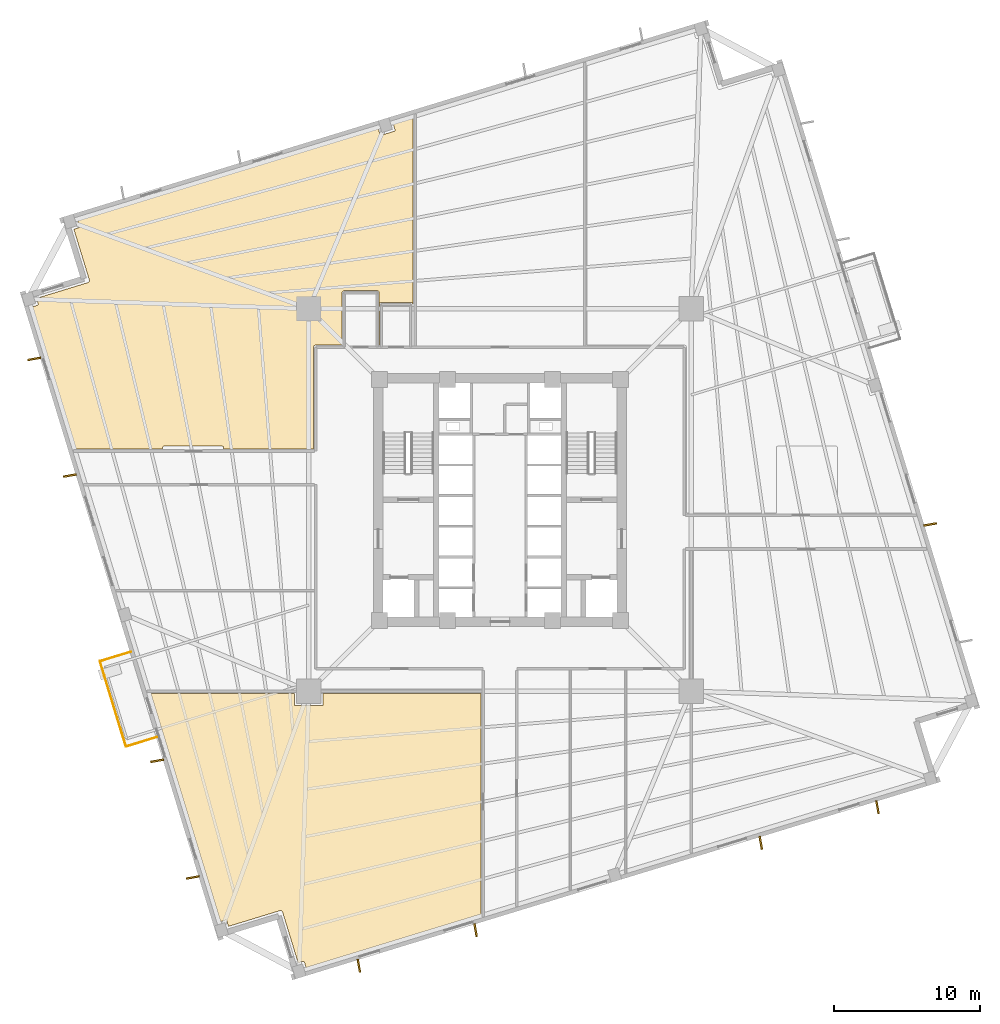
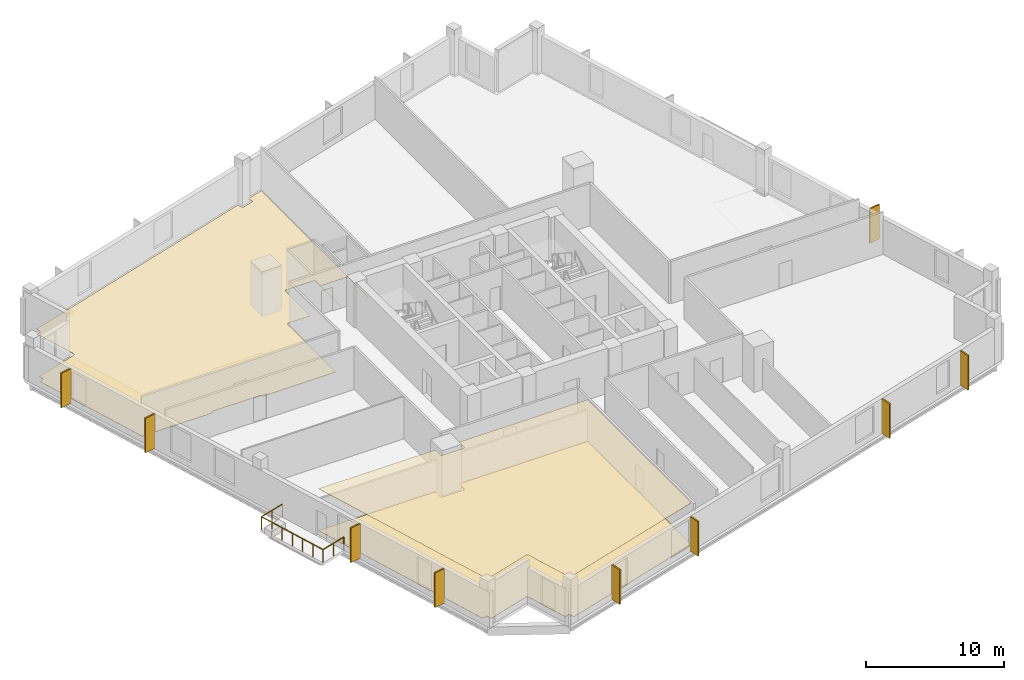
# One storey, part 7 of 9: 12 coverings, 3 railings.
"""IFC4 building model written with IfcOpenShell, lengths in metres."""

from ifc_helpers import new_model, si_unit, direction, frame, origin, origin_2d, place, context, subcontext, project, spatial, polyline, rectangle, circle, outline, extrude, source, transform, mapped, material, layer, layer_set, type_object, element, save


model = new_model("IFC4")

# Units and contexts
model_context = context("Model", 3, precision=1e-05, world=origin(), true_north=direction((0.0, 1.0)))
body_context = subcontext(model_context, "Body", "Model", "MODEL_VIEW")
ifc_project = project(units=[si_unit("LENGTHUNIT", "METRE"), si_unit("AREAUNIT", "SQUARE_METRE"), si_unit("VOLUMEUNIT", "CUBIC_METRE"), si_unit("PLANEANGLEUNIT", "RADIAN"), si_unit("MASSUNIT", "GRAM", prefix="KILO"), si_unit("THERMODYNAMICTEMPERATUREUNIT", "KELVIN")], contexts=[model_context])

# Site, building, storey
site_placement = place(None, origin())
site = spatial("IfcSite", under=ifc_project, at=site_placement, CompositionType="ELEMENT")
building_placement = place(site_placement, origin())
building = spatial("IfcBuilding", under=site, at=building_placement, Name="Kosmvard Interchange Tower", CompositionType="ELEMENT")
storey_placement = place(building_placement, frame((0.0, 0.0, 107.199951171875)))
storey = spatial("IfcBuildingStorey", under=building, at=storey_placement, Name="L25", CompositionType="ELEMENT", Elevation=107.199951171875)

# Coverings
ifc_material_1 = material(Name="Acoustic gypsum ceiling tile")
ifc_layer_1 = layer(ifc_material_1, 0.02490234375, Name="Acoustic gypsum ceiling tile")
ifc_layer_set_1 = layer_set([ifc_layer_1], Name="Acoustic gypsum ceiling tile")
covering_type_1 = type_object("IfcCoveringType", Name="Acoustic Perforated Suspended Ceiling 25", PredefinedType="CEILING", material=ifc_layer_set_1)
covering_1_placement = place(storey_placement, frame((0.0, 0.0, 3.715087890625)))
element("IfcCovering", 1, at=covering_1_placement, inside=storey, type_object=covering_type_1, Name="L25 Acoustic Ceiling L25-OFF3", PredefinedType="CEILING", context=body_context, shape_type="SweptSolid", body=[
    extrude(outline(polyline([(-13.8115234375, -31.66162109375), (-13.481689453125, -31.560791015625), (-13.47412109375, -31.558837890625), (-13.46630859375, -31.5576171875), (-13.45849609375, -31.55712890625), (-13.45068359375, -31.5576171875), (-13.44287109375, -31.55859375), (-13.43505859375, -31.560546875), (-13.427734375, -31.563232421875), (-13.420654296875, -31.566650390625), (-13.413818359375, -31.570556640625), (-13.40771484375, -31.5751953125), (-13.40185546875, -31.58056640625), (-13.396484375, -31.58642578125), (-13.391845703125, -31.592529296875), (-13.3876953125, -31.599365234375), (-13.38427734375, -31.6064453125), (-13.3818359375, -31.61376953125), (-13.266357421875, -31.991455078125), (-1.304931640625, -28.334716796875), (-1.304931640625, -13.240966796875), (-12.095947265625, -13.240966796875), (-12.095947265625, -13.986083984375), (-12.096435546875, -13.993896484375), (-12.09765625, -14.001708984375), (-12.099365234375, -14.00927734375), (-12.10205078125, -14.0166015625), (-12.10546875, -14.023681640625), (-12.109375, -14.030517578125), (-12.1142578125, -14.036865234375), (-12.119384765625, -14.04248046875), (-12.125244140625, -14.0478515625), (-12.131591796875, -14.052490234375), (-12.13818359375, -14.056640625), (-12.1455078125, -14.059814453125), (-12.15283203125, -14.0625), (-12.160400390625, -14.064453125), (-12.168212890625, -14.065673828125), (-12.176025390625, -14.06591796875), (-13.986083984375, -14.06591796875), (-13.993896484375, -14.065673828125), (-14.001708984375, -14.064453125), (-14.00927734375, -14.0625), (-14.0166015625, -14.059814453125), (-14.023681640625, -14.056640625), (-14.030517578125, -14.052490234375), (-14.036865234375, -14.0478515625), (-14.04248046875, -14.04248046875), (-14.0478515625, -14.036865234375), (-14.052490234375, -14.030517578125), (-14.056640625, -14.023681640625), (-14.059814453125, -14.0166015625), (-14.0625, -14.00927734375), (-14.064453125, -14.001708984375), (-14.065673828125, -13.993896484375), (-14.06591796875, -13.986083984375), (-14.06591796875, -13.240966796875), (-23.887451171875, -13.240966796875), (-19.118408203125, -28.83984375), (-18.78857421875, -28.739013671875), (-18.781005859375, -28.737060546875), (-18.773193359375, -28.73583984375), (-18.765380859375, -28.735595703125), (-18.757568359375, -28.73583984375), (-18.749755859375, -28.737060546875), (-18.741943359375, -28.73876953125), (-18.734619140625, -28.741455078125), (-18.7275390625, -28.744873046875), (-18.720703125, -28.748779296875), (-18.714599609375, -28.75341796875), (-18.708740234375, -28.7587890625), (-18.703369140625, -28.7646484375), (-18.69873046875, -28.77099609375), (-18.694580078125, -28.777587890625), (-18.691162109375, -28.78466796875), (-18.688720703125, -28.7919921875), (-18.572998046875, -29.169921875), (-15.0634765625, -28.096923828125), (-15.0595703125, -28.095703125), (-15.052490234375, -28.093994140625), (-15.044921875, -28.092529296875), (-15.03759765625, -28.09130859375), (-15.02978515625, -28.090576171875), (-15.0224609375, -28.090087890625), (-15.014404296875, -28.090087890625), (-15.007080078125, -28.090576171875), (-14.99951171875, -28.09130859375), (-14.9921875, -28.09228515625), (-14.984375, -28.09375), (-14.977294921875, -28.095703125), (-14.9697265625, -28.097900390625), (-14.962646484375, -28.100341796875), (-14.95556640625, -28.103271484375), (-14.948974609375, -28.1064453125), (-14.942138671875, -28.110107421875), (-14.935791015625, -28.11376953125), (-14.92919921875, -28.1181640625), (-14.923095703125, -28.12255859375), (-14.9169921875, -28.127685546875), (-14.91162109375, -28.132568359375), (-14.906005859375, -28.137939453125), (-14.901123046875, -28.1435546875), (-14.89599609375, -28.149658203125), (-14.8916015625, -28.155517578125), (-14.887451171875, -28.161865234375), (-14.883544921875, -28.168212890625), (-14.8798828125, -28.17529296875), (-14.876708984375, -28.181884765625), (-14.873779296875, -28.18896484375), (-14.87109375, -28.196044921875), (-14.869873046875, -28.19970703125), (-13.8115234375, -31.66162109375)])), origin(), (0.0, 0.0, 1.0), 0.02490234375),
])
ifc_material_2 = material(Name="Polished terrazzo flooring")
ifc_layer_2 = layer(ifc_material_2, 0.030029296875, Name="Polished terrazzo flooring")
ifc_layer_set_2 = layer_set([ifc_layer_2], Name="Polished terrazzo flooring")
covering_type_2 = type_object("IfcCoveringType", Name="Heavy-Duty Terrazzo & Porcelain Flooring 30", PredefinedType="FLOORING", material=ifc_layer_set_2)
covering_2_placement = place(storey_placement, origin())
element("IfcCovering", 2, at=covering_2_placement, inside=storey, type_object=covering_type_2, Name="L25 Floor Finish L25-LNG1", PredefinedType="FLOORING", context=body_context, shape_type="SweptSolid", body=[
    extrude(outline(polyline([(-8.284912109375, 14.248779296875), (-8.281494140625, 14.2431640625), (-8.27783203125, 14.236328125), (-8.27490234375, 14.230224609375), (-8.27197265625, 14.222900390625), (-8.269775390625, 14.216796875), (-8.267578125, 14.209228515625), (-8.265869140625, 14.20263671875), (-8.264404296875, 14.195068359375), (-8.263427734375, 14.1884765625), (-8.2626953125, 14.1806640625), (-8.26220703125, 14.173828125), (-8.26220703125, 14.169921875), (-8.26220703125, 10.60498046875), (-8.259033203125, 10.60498046875), (-8.259033203125, 13.3701171875), (-8.259033203125, 13.3740234375), (-8.258544921875, 13.380615234375), (-8.2578125, 13.388427734375), (-8.2568359375, 13.39501953125), (-8.25537109375, 13.402587890625), (-8.253662109375, 13.4091796875), (-8.25146484375, 13.416748046875), (-8.249267578125, 13.423095703125), (-8.246337890625, 13.43017578125), (-8.243408203125, 13.436279296875), (-8.23974609375, 13.443115234375), (-8.236328125, 13.448974609375), (-8.23193359375, 13.45556640625), (-8.227783203125, 13.4609375), (-8.222900390625, 13.466796875), (-8.218505859375, 13.471923828125), (-8.212890625, 13.477294921875), (-8.2080078125, 13.48193359375), (-8.201904296875, 13.48681640625), (-8.196533203125, 13.49072265625), (-8.18994140625, 13.4951171875), (-8.184326171875, 13.49853515625), (-8.17724609375, 13.502197265625), (-8.17138671875, 13.505126953125), (-8.1640625, 13.508056640625), (-8.15771484375, 13.510498046875), (-8.150146484375, 13.5126953125), (-8.143798828125, 13.514404296875), (-8.135986328125, 13.515869140625), (-8.12939453125, 13.516845703125), (-8.12158203125, 13.517578125), (-8.114990234375, 13.517822265625), (-8.111083984375, 13.51806640625), (-6.111083984375, 13.51806640625), (-6.107177734375, 13.517822265625), (-6.100341796875, 13.517578125), (-6.0927734375, 13.516845703125), (-6.086181640625, 13.515869140625), (-6.078369140625, 13.514404296875), (-6.072021484375, 13.5126953125), (-6.064453125, 13.510498046875), (-6.05810546875, 13.508056640625), (-6.05078125, 13.505126953125), (-6.044921875, 13.502197265625), (-6.037841796875, 13.49853515625), (-6.0322265625, 13.4951171875), (-6.025634765625, 13.49072265625), (-6.020263671875, 13.48681640625), (-6.01416015625, 13.48193359375), (-6.00927734375, 13.477294921875), (-6.003662109375, 13.471923828125), (-5.999267578125, 13.466796875), (-5.994140625, 13.460693359375), (-5.990234375, 13.455322265625), (-5.98583984375, 13.448974609375), (-5.982421875, 13.443115234375), (-5.978759765625, 13.436279296875), (-5.97607421875, 13.430419921875), (-5.972900390625, 13.423095703125), (-5.970703125, 13.416748046875), (-5.968505859375, 13.4091796875), (-5.966796875, 13.402587890625), (-5.96533203125, 13.39501953125), (-5.96435546875, 13.388427734375), (-5.96337890625, 13.380615234375), (-5.963134765625, 13.373779296875), (-5.963134765625, 13.3701171875), (-5.963134765625, 10.60498046875), (-5.9599609375, 10.60498046875), (-5.9599609375, 26.113525390625), (-7.299072265625, 25.7041015625), (-7.18359375, 25.326416015625), (-7.181640625, 25.31884765625), (-7.180419921875, 25.31103515625), (-7.18017578125, 25.30322265625), (-7.180419921875, 25.29541015625), (-7.181640625, 25.28759765625), (-7.18359375, 25.280029296875), (-7.18603515625, 25.2724609375), (-7.189453125, 25.265380859375), (-7.193603515625, 25.2587890625), (-7.1982421875, 25.25244140625), (-7.203369140625, 25.24658203125), (-7.209228515625, 25.2412109375), (-7.215576171875, 25.236572265625), (-7.22216796875, 25.232421875), (-7.229248046875, 25.229248046875), (-7.23681640625, 25.2265625), (-8.10693359375, 24.96044921875), (-8.114501953125, 24.95849609375), (-8.122314453125, 24.957275390625), (-8.130126953125, 24.95703125), (-8.137939453125, 24.957275390625), (-8.145751953125, 24.95849609375), (-8.1533203125, 24.960205078125), (-8.160888671875, 24.962890625), (-8.16796875, 24.96630859375), (-8.174560546875, 24.97021484375), (-8.180908203125, 24.974853515625), (-8.186767578125, 24.980224609375), (-8.192138671875, 24.986083984375), (-8.19677734375, 24.992431640625), (-8.200927734375, 24.9990234375), (-8.2041015625, 25.006103515625), (-8.206787109375, 25.013427734375), (-8.322265625, 25.391357421875), (-28.8876953125, 19.103759765625), (-28.772216796875, 18.72607421875), (-28.770263671875, 18.718505859375), (-28.76904296875, 18.710693359375), (-28.768798828125, 18.702880859375), (-28.76904296875, 18.695068359375), (-28.770263671875, 18.687255859375), (-28.77197265625, 18.6796875), (-28.774658203125, 18.672119140625), (-28.778076171875, 18.6650390625), (-28.781982421875, 18.658447265625), (-28.78662109375, 18.652099609375), (-28.7919921875, 18.646240234375), (-28.7978515625, 18.640869140625), (-28.80419921875, 18.63623046875), (-28.810791015625, 18.63232421875), (-28.81787109375, 18.62890625), (-28.8251953125, 18.626220703125), (-29.1552734375, 18.525390625), (-28.096923828125, 15.0634765625), (-28.095703125, 15.0595703125), (-28.093994140625, 15.052490234375), (-28.092529296875, 15.044921875), (-28.09130859375, 15.03759765625), (-28.090576171875, 15.02978515625), (-28.090087890625, 15.0224609375), (-28.090087890625, 15.014404296875), (-28.090576171875, 15.007080078125), (-28.09130859375, 14.99951171875), (-28.09228515625, 14.9921875), (-28.09375, 14.984375), (-28.095703125, 14.977294921875), (-28.097900390625, 14.9697265625), (-28.100341796875, 14.962646484375), (-28.103271484375, 14.95556640625), (-28.1064453125, 14.948974609375), (-28.110107421875, 14.942138671875), (-28.11376953125, 14.935791015625), (-28.1181640625, 14.92919921875), (-28.12255859375, 14.923095703125), (-28.127685546875, 14.9169921875), (-28.132568359375, 14.91162109375), (-28.137939453125, 14.906005859375), (-28.1435546875, 14.901123046875), (-28.149658203125, 14.89599609375), (-28.155517578125, 14.8916015625), (-28.161865234375, 14.887451171875), (-28.168212890625, 14.883544921875), (-28.17529296875, 14.8798828125), (-28.181884765625, 14.876708984375), (-28.18896484375, 14.873779296875), (-28.196044921875, 14.87109375), (-28.19970703125, 14.869873046875), (-31.70947265625, 13.796875), (-31.593994140625, 13.419189453125), (-31.592041015625, 13.41162109375), (-31.5908203125, 13.40380859375), (-31.59033203125, 13.39599609375), (-31.5908203125, 13.38818359375), (-31.591796875, 13.38037109375), (-31.59375, 13.372802734375), (-31.596435546875, 13.365234375), (-31.599853515625, 13.358154296875), (-31.603759765625, 13.3515625), (-31.6083984375, 13.34521484375), (-31.61376953125, 13.33935546875), (-31.61962890625, 13.333984375), (-31.625732421875, 13.329345703125), (-31.632568359375, 13.325439453125), (-31.6396484375, 13.322021484375), (-31.64697265625, 13.3193359375), (-31.97705078125, 13.218505859375), (-29.00732421875, 3.5048828125), (-23.080078125, 3.5048828125), (-23.080078125, 3.60009765625), (-23.07958984375, 3.60791015625), (-23.078369140625, 3.61572265625), (-23.07666015625, 3.623291015625), (-23.073974609375, 3.630615234375), (-23.070556640625, 3.6376953125), (-23.06640625, 3.64453125), (-23.061767578125, 3.650634765625), (-23.056640625, 3.656494140625), (-23.05078125, 3.661865234375), (-23.04443359375, 3.66650390625), (-23.03759765625, 3.670654296875), (-23.030517578125, 3.673828125), (-23.023193359375, 3.676513671875), (-23.015625, 3.678466796875), (-23.0078125, 3.6796875), (-23.0, 3.679931640625), (-19.0, 3.679931640625), (-18.9921875, 3.6796875), (-18.984375, 3.678466796875), (-18.976806640625, 3.676513671875), (-18.969482421875, 3.673828125), (-18.96240234375, 3.670654296875), (-18.95556640625, 3.66650390625), (-18.94921875, 3.661865234375), (-18.943359375, 3.656494140625), (-18.938232421875, 3.650634765625), (-18.93359375, 3.64453125), (-18.929443359375, 3.6376953125), (-18.926025390625, 3.630615234375), (-18.92333984375, 3.623291015625), (-18.921630859375, 3.61572265625), (-18.92041015625, 3.60791015625), (-18.919921875, 3.60009765625), (-18.919921875, 3.5048828125), (-12.7548828125, 3.5048828125), (-12.7548828125, 10.449951171875), (-12.7548828125, 10.453857421875), (-12.754638671875, 10.461181640625), (-12.753662109375, 10.468994140625), (-12.752685546875, 10.476318359375), (-12.751220703125, 10.484130859375), (-12.749267578125, 10.4912109375), (-12.7470703125, 10.498779296875), (-12.74462890625, 10.505615234375), (-12.74169921875, 10.512939453125), (-12.738525390625, 10.51953125), (-12.73486328125, 10.5263671875), (-12.73095703125, 10.53271484375), (-12.7265625, 10.539306640625), (-12.72216796875, 10.545166015625), (-12.71728515625, 10.55126953125), (-12.712158203125, 10.556884765625), (-12.706787109375, 10.562255859375), (-12.701416015625, 10.567138671875), (-12.6953125, 10.572265625), (-12.689208984375, 10.57666015625), (-12.6826171875, 10.5810546875), (-12.676513671875, 10.584716796875), (-12.669677734375, 10.58837890625), (-12.662841796875, 10.591552734375), (-12.65576171875, 10.5947265625), (-12.648681640625, 10.59716796875), (-12.64111328125, 10.599365234375), (-12.634033203125, 10.60107421875), (-12.62646484375, 10.602783203125), (-12.619140625, 10.603759765625), (-12.611328125, 10.6044921875), (-12.60400390625, 10.60498046875), (-12.60009765625, 10.60498046875), (-10.80810546875, 10.60498046875), (-10.80810546875, 14.169921875), (-10.80810546875, 14.173828125), (-10.807861328125, 14.180419921875), (-10.806884765625, 14.1884765625), (-10.805908203125, 14.195068359375), (-10.804443359375, 14.20263671875), (-10.802734375, 14.209228515625), (-10.800537109375, 14.216796875), (-10.79833984375, 14.222900390625), (-10.795166015625, 14.230224609375), (-10.79248046875, 14.236328125), (-10.788818359375, 14.2431640625), (-10.785400390625, 14.248779296875), (-10.781005859375, 14.25537109375), (-10.777099609375, 14.2607421875), (-10.77197265625, 14.266845703125), (-10.767578125, 14.271728515625), (-10.761962890625, 14.27734375), (-10.757080078125, 14.281982421875), (-10.7509765625, 14.286865234375), (-10.74560546875, 14.290771484375), (-10.739013671875, 14.295166015625), (-10.7333984375, 14.298583984375), (-10.726318359375, 14.30224609375), (-10.720458984375, 14.30517578125), (-10.713134765625, 14.30810546875), (-10.706787109375, 14.310302734375), (-10.69921875, 14.312744140625), (-10.69287109375, 14.314208984375), (-10.68505859375, 14.31591796875), (-10.678466796875, 14.31689453125), (-10.670654296875, 14.317626953125), (-10.6640625, 14.31787109375), (-10.66015625, 14.318115234375), (-8.41015625, 14.318115234375), (-8.40625, 14.31787109375), (-8.3994140625, 14.317626953125), (-8.391845703125, 14.31689453125), (-8.38525390625, 14.31591796875), (-8.37744140625, 14.314208984375), (-8.37109375, 14.312744140625), (-8.363525390625, 14.310302734375), (-8.357177734375, 14.30810546875), (-8.349853515625, 14.30517578125), (-8.343994140625, 14.30224609375), (-8.3369140625, 14.298583984375), (-8.331298828125, 14.295166015625), (-8.32470703125, 14.290771484375), (-8.3193359375, 14.286865234375), (-8.313232421875, 14.28173828125), (-8.308349609375, 14.27734375), (-8.302734375, 14.271728515625), (-8.29833984375, 14.266845703125), (-8.29345703125, 14.2607421875), (-8.289306640625, 14.25537109375), (-8.284912109375, 14.248779296875)])), origin(), (0.0, 0.0, 1.0), 0.030029296875),
])
covering_3_placement = place(storey_placement, origin())
element("IfcCovering", 3, at=covering_3_placement, inside=storey, type_object=covering_type_2, Name="L25 Floor Finish L25-OFF3", PredefinedType="FLOORING", context=body_context, shape_type="SweptSolid", body=[
    extrude(outline(polyline([(-13.8115234375, -31.66162109375), (-13.481689453125, -31.560791015625), (-13.47412109375, -31.558837890625), (-13.46630859375, -31.5576171875), (-13.45849609375, -31.55712890625), (-13.45068359375, -31.5576171875), (-13.44287109375, -31.55859375), (-13.43505859375, -31.560546875), (-13.427734375, -31.563232421875), (-13.420654296875, -31.566650390625), (-13.413818359375, -31.570556640625), (-13.40771484375, -31.5751953125), (-13.40185546875, -31.58056640625), (-13.396484375, -31.58642578125), (-13.391845703125, -31.592529296875), (-13.3876953125, -31.599365234375), (-13.38427734375, -31.6064453125), (-13.3818359375, -31.61376953125), (-13.266357421875, -31.991455078125), (-1.304931640625, -28.334716796875), (-1.304931640625, -13.240966796875), (-12.095947265625, -13.240966796875), (-12.095947265625, -13.986083984375), (-12.096435546875, -13.993896484375), (-12.09765625, -14.001708984375), (-12.099365234375, -14.00927734375), (-12.10205078125, -14.0166015625), (-12.10546875, -14.023681640625), (-12.109375, -14.030517578125), (-12.1142578125, -14.036865234375), (-12.119384765625, -14.04248046875), (-12.125244140625, -14.0478515625), (-12.131591796875, -14.052490234375), (-12.13818359375, -14.056640625), (-12.1455078125, -14.059814453125), (-12.15283203125, -14.0625), (-12.160400390625, -14.064453125), (-12.168212890625, -14.065673828125), (-12.176025390625, -14.06591796875), (-13.986083984375, -14.06591796875), (-13.993896484375, -14.065673828125), (-14.001708984375, -14.064453125), (-14.00927734375, -14.0625), (-14.0166015625, -14.059814453125), (-14.023681640625, -14.056640625), (-14.030517578125, -14.052490234375), (-14.036865234375, -14.0478515625), (-14.04248046875, -14.04248046875), (-14.0478515625, -14.036865234375), (-14.052490234375, -14.030517578125), (-14.056640625, -14.023681640625), (-14.059814453125, -14.0166015625), (-14.0625, -14.00927734375), (-14.064453125, -14.001708984375), (-14.065673828125, -13.993896484375), (-14.06591796875, -13.986083984375), (-14.06591796875, -13.240966796875), (-23.887451171875, -13.240966796875), (-19.118408203125, -28.83984375), (-18.78857421875, -28.739013671875), (-18.781005859375, -28.737060546875), (-18.773193359375, -28.73583984375), (-18.765380859375, -28.735595703125), (-18.757568359375, -28.73583984375), (-18.749755859375, -28.737060546875), (-18.741943359375, -28.73876953125), (-18.734619140625, -28.741455078125), (-18.7275390625, -28.744873046875), (-18.720703125, -28.748779296875), (-18.714599609375, -28.75341796875), (-18.708740234375, -28.7587890625), (-18.703369140625, -28.7646484375), (-18.69873046875, -28.77099609375), (-18.694580078125, -28.777587890625), (-18.691162109375, -28.78466796875), (-18.688720703125, -28.7919921875), (-18.572998046875, -29.169921875), (-15.0634765625, -28.096923828125), (-15.0595703125, -28.095703125), (-15.052490234375, -28.093994140625), (-15.044921875, -28.092529296875), (-15.03759765625, -28.09130859375), (-15.02978515625, -28.090576171875), (-15.0224609375, -28.090087890625), (-15.014404296875, -28.090087890625), (-15.007080078125, -28.090576171875), (-14.99951171875, -28.09130859375), (-14.9921875, -28.09228515625), (-14.984375, -28.09375), (-14.977294921875, -28.095703125), (-14.9697265625, -28.097900390625), (-14.962646484375, -28.100341796875), (-14.95556640625, -28.103271484375), (-14.948974609375, -28.1064453125), (-14.942138671875, -28.110107421875), (-14.935791015625, -28.11376953125), (-14.92919921875, -28.1181640625), (-14.923095703125, -28.12255859375), (-14.9169921875, -28.127685546875), (-14.91162109375, -28.132568359375), (-14.906005859375, -28.137939453125), (-14.901123046875, -28.1435546875), (-14.89599609375, -28.149658203125), (-14.8916015625, -28.155517578125), (-14.887451171875, -28.161865234375), (-14.883544921875, -28.168212890625), (-14.8798828125, -28.17529296875), (-14.876708984375, -28.181884765625), (-14.873779296875, -28.18896484375), (-14.87109375, -28.196044921875), (-14.869873046875, -28.19970703125), (-13.8115234375, -31.66162109375)])), origin(), (0.0, 0.0, 1.0), 0.030029296875),
])
ifc_material_3 = material(Name="Architectural anodised aluminium", Category="aluminium")
ifc_layer_3 = layer(ifc_material_3, 0.1201171875, Name="Architectural anodised aluminium")
ifc_layer_set_3 = layer_set([ifc_layer_3], Name="Architectural anodised aluminium")
covering_type_3 = type_object("IfcCoveringType", Name="Rotating Vertical Sun-Breaker Fin 900x120 Aluminium", PredefinedType="CLADDING", material=ifc_layer_set_3)
shared_shape_1 = source(origin(), body_context, "Body", "SweptSolid", [
    extrude(rectangle(XDim=0.89990234375, YDim=0.1201171875, at=origin_2d()), origin(), (0.0, 0.0, 1.0), 3.06005859375),
])
for number, where, z_axis, x_axis, name in (
    (4, (-9.6572265625, -31.865966796875, 0.0400390625), (0.0, 0.0, 1.0), (0.173820056399, -0.984777430688, 0.0), "L25 Rotating Vertical Sun-Breaker Fin 01"),
    (5, (-1.673583984375, -29.425048828125, 0.0400390625), (0.0, 0.0, 1.0), (0.173820056399, -0.984777430688, 0.0), "L25 Rotating Vertical Sun-Breaker Fin 02"),
    (6, (17.841796875, -23.45849609375, 0.0400390625), (0.0, 0.0, 1.0), (0.173820056399, -0.984777430688, 0.0), "L25 Rotating Vertical Sun-Breaker Fin 03"),
    (7, (25.825439453125, -21.017822265625, 0.0400390625), (0.0, 0.0, 1.0), (0.173820056399, -0.984777430688, 0.0), "L25 Rotating Vertical Sun-Breaker Fin 04"),
    (8, (29.425048828125, -1.673583984375, 0.0400390625), (0.0, 0.0, 1.0), (0.984777430688, 0.173820056399, 0.0), "L25 Rotating Vertical Sun-Breaker Fin 06"),
    (9, (-31.865966796875, 9.6572265625, 0.0400390625), (0.0, 0.0, 1.0), (-0.984777430688, -0.173820056399, 0.0), "L25 Rotating Vertical Sun-Breaker Fin 13"),
    (10, (-29.425048828125, 1.673583984375, 0.0400390625), (0.0, 0.0, 1.0), (-0.984777430688, -0.173820056399, 0.0), "L25 Rotating Vertical Sun-Breaker Fin 14"),
    (11, (-23.45849609375, -17.841796875, 0.0400390625), (0.0, 0.0, 1.0), (-0.984777430688, -0.173820056399, 0.0), "L25 Rotating Vertical Sun-Breaker Fin 15"),
    (12, (-21.017822265625, -25.825439453125, 0.0400390625), (0.0, 0.0, 1.0), (-0.984777430688, -0.173820056399, 0.0), "L25 Rotating Vertical Sun-Breaker Fin 16"),
):
    element("IfcCovering", number, at=place(storey_placement, frame(where, z_axis=z_axis, x_axis=x_axis)), inside=storey, type_object=covering_type_3, Name=name, PredefinedType="CLADDING", context=body_context, shape_type="MappedRepresentation", body=[
        mapped(shared_shape_1, transform((0.0, 0.0, 0.0), scale=1.0)),
    ])

# Railings
ifc_material_4 = material(Name="Steel S355", Category="steel")
railing_type = type_object("IfcRailingType", Name="Observation & Balcony Glass-Infill Balustrade 1150", PredefinedType="BALUSTRADE", material=ifc_material_4)
shared_shape_2 = source(origin(), body_context, "Body", "SweptSolid", [
    extrude(circle(Radius=0.02392578125, at=origin_2d()), frame((0.0, 0.0, 1.1259765625), z_axis=(0.956329170869, 0.292291835236, 0.0), x_axis=(-0.292291835236, 0.956329170869, 0.0)), (0.0, 0.0, 1.0), 2.2001953125),
    extrude(circle(Radius=0.02099609375, at=origin_2d()), origin(), (0.0, 0.0, 1.0), 1.101806640625),
    extrude(circle(Radius=0.02099609375, at=origin_2d()), frame((1.052001953125, 0.321533203125, 0.0)), (0.0, 0.0, 1.0), 1.101806640625),
    extrude(circle(Radius=0.02099609375, at=origin_2d()), frame((2.10400390625, 0.64306640625, 0.0)), (0.0, 0.0, 1.0), 1.101806640625),
])
railing_1_placement = place(storey_placement, frame((-25.58642578125, -16.86767578125, 0.0)))
element("IfcRailing", 13, at=railing_1_placement, inside=storey, type_object=railing_type, Name="L25 Outdoor Terrace Guard BAL-L25-W-C", PredefinedType="BALUSTRADE", context=body_context, shape_type="MappedRepresentation", body=[
    mapped(shared_shape_2, transform((0.0, 0.0, 0.0), scale=1.0)),
])
shared_shape_3 = source(origin(), body_context, "Body", "SweptSolid", [
    extrude(circle(Radius=0.02392578125, at=origin_2d()), frame((0.0, 0.0, 1.1259765625), z_axis=(-0.956329170869, -0.292291835236, 0.0), x_axis=(0.292291835236, -0.956329170869, 0.0)), (0.0, 0.0, 1.0), 2.2001953125),
    extrude(circle(Radius=0.02099609375, at=origin_2d()), origin(), (0.0, 0.0, 1.0), 1.101806640625),
    extrude(circle(Radius=0.02099609375, at=origin_2d()), frame((-1.052001953125, -0.321533203125, 0.0)), (0.0, 0.0, 1.0), 1.101806640625),
    extrude(circle(Radius=0.02099609375, at=origin_2d()), frame((-2.10400390625, -0.64306640625, 0.0)), (0.0, 0.0, 1.0), 1.101806640625),
])
railing_2_placement = place(storey_placement, frame((-25.265869140625, -10.39111328125, 0.0)))
element("IfcRailing", 14, at=railing_2_placement, inside=storey, type_object=railing_type, Name="L25 Outdoor Terrace Guard BAL-L25-W-A", PredefinedType="BALUSTRADE", context=body_context, shape_type="MappedRepresentation", body=[
    mapped(shared_shape_3, transform((0.0, 0.0, 0.0), scale=1.0)),
])
shared_shape_4 = source(origin(), body_context, "Body", "SweptSolid", [
    extrude(circle(Radius=0.02392578125, at=origin_2d()), frame((0.0, 0.0, 1.1259765625), z_axis=(0.292366986664, -0.956306198406, 0.0), x_axis=(0.956306198406, 0.292366986664, 0.0)), (0.0, 0.0, 1.0), 6.10009765625),
    extrude(circle(Radius=0.02099609375, at=origin_2d()), origin(), (0.0, 0.0, 1.0), 1.101806640625),
    extrude(circle(Radius=0.02099609375, at=origin_2d()), frame((0.29736328125, -0.97216796875, 0.0)), (0.0, 0.0, 1.0), 1.101806640625),
    extrude(circle(Radius=0.02099609375, at=origin_2d()), frame((0.594482421875, -1.944580078125, 0.0)), (0.0, 0.0, 1.0), 1.101806640625),
    extrude(circle(Radius=0.02099609375, at=origin_2d()), frame((0.8916015625, -2.916748046875, 0.0)), (0.0, 0.0, 1.0), 1.101806640625),
    extrude(circle(Radius=0.02099609375, at=origin_2d()), frame((1.18896484375, -3.888916015625, 0.0)), (0.0, 0.0, 1.0), 1.101806640625),
    extrude(circle(Radius=0.02099609375, at=origin_2d()), frame((1.486328125, -4.861328125, 0.0)), (0.0, 0.0, 1.0), 1.101806640625),
    extrude(circle(Radius=0.02099609375, at=origin_2d()), frame((1.783447265625, -5.83349609375, 0.0)), (0.0, 0.0, 1.0), 1.101806640625),
])
railing_3_placement = place(storey_placement, frame((-27.369873046875, -11.0341796875, 0.0)))
element("IfcRailing", 15, at=railing_3_placement, inside=storey, type_object=railing_type, Name="L25 Outdoor Terrace Guard BAL-L25-W-B", PredefinedType="BALUSTRADE", context=body_context, shape_type="MappedRepresentation", body=[
    mapped(shared_shape_4, transform((0.0, 0.0, 0.0), scale=1.0)),
])

save(model, "model.ifc")
